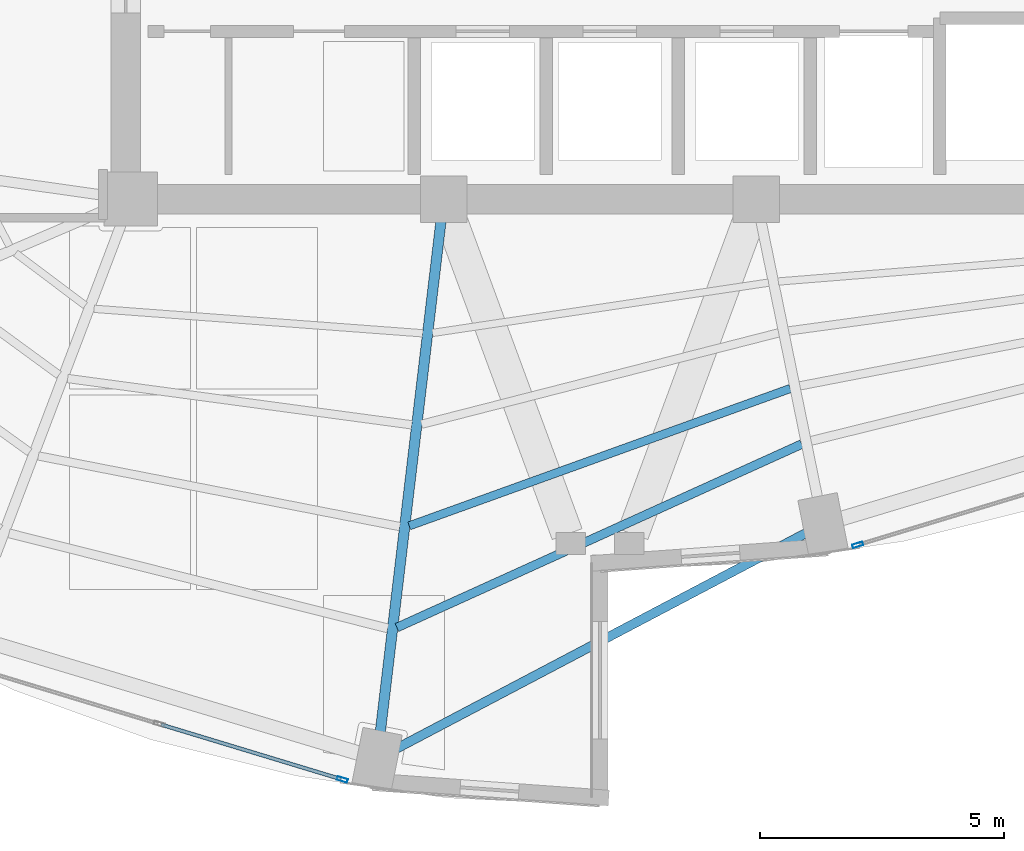
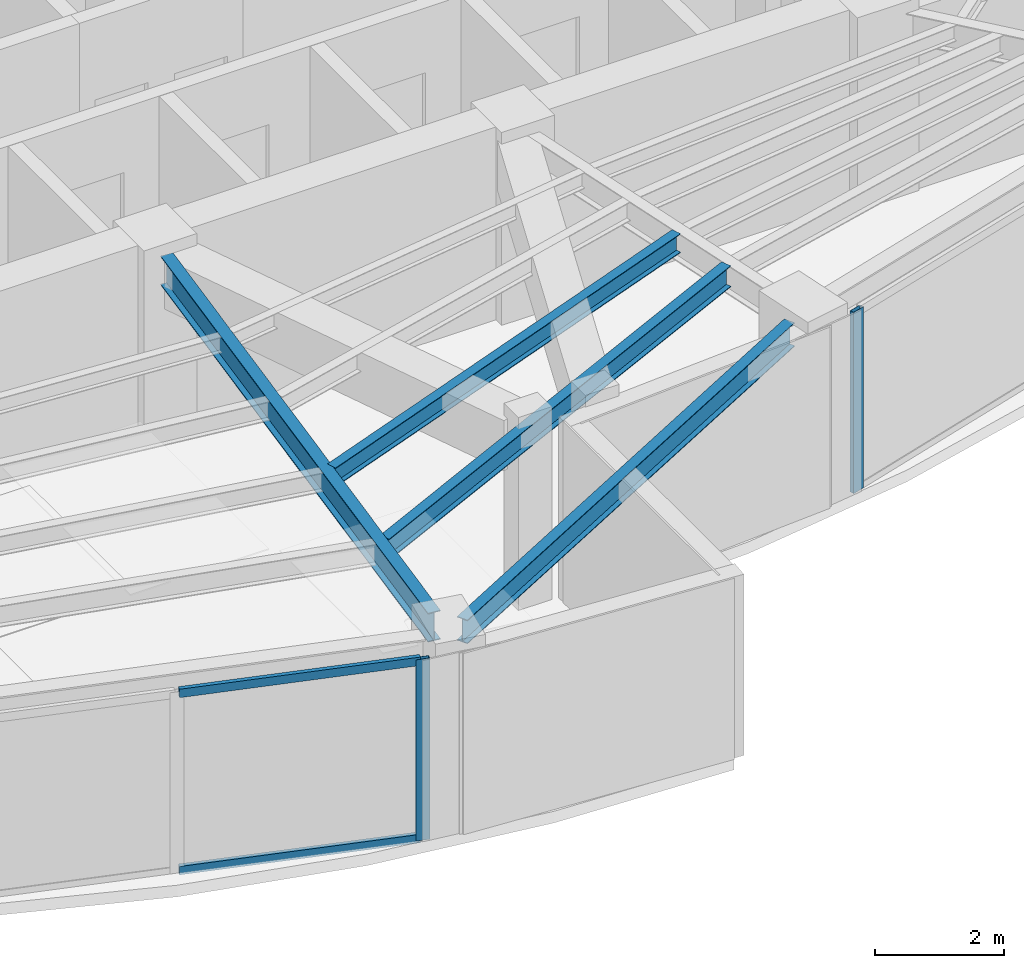
# One storey, part 4 of 19: 4 beams, 4 members, 2 elements without a shape of their own.
"""IFC4 building model written with IfcOpenShell, lengths in metres."""

from ifc_helpers import new_model, si_unit, direction, frame, origin, origin_2d, place, context, subcontext, project, spatial, hollow_rectangle, i_section, extrude, material, layer, layer_set, material_profile, profile_set, type_object, element, aggregate, save


model = new_model("IFC4")

# Units and contexts
model_context = context("Model", 3, precision=1e-05, world=origin(), true_north=direction((0.0, 1.0)))
body_context = subcontext(model_context, "Body", "Model", "MODEL_VIEW")
ifc_project = project(units=[si_unit("LENGTHUNIT", "METRE"), si_unit("AREAUNIT", "SQUARE_METRE"), si_unit("VOLUMEUNIT", "CUBIC_METRE"), si_unit("PLANEANGLEUNIT", "RADIAN"), si_unit("MASSUNIT", "GRAM", prefix="KILO")], contexts=[model_context])

# Site, building, storey
site_placement = place(None, origin())
site = spatial("IfcSite", under=ifc_project, at=site_placement, CompositionType="ELEMENT")
building_placement = place(site_placement, origin())
building = spatial("IfcBuilding", under=site, at=building_placement, Name="Lazwardi Medical Tower", CompositionType="ELEMENT")
storey_placement = place(building_placement, frame((0.0, 0.0, 163.823974609375)))
storey = spatial("IfcBuildingStorey", under=building, at=storey_placement, Name="L42", CompositionType="ELEMENT", Elevation=163.823974609375)

# Beams
ifc_material_1 = material(Name="Steel S355", Category="steel")
ifc_material_profile_1 = material_profile(ifc_material_1, i_section(OverallWidth=0.2099609375, OverallDepth=0.550048828125, WebThickness=0.010986328125, FlangeThickness=0.01708984375, at=origin_2d()), Name="IPE 550")
ifc_profile_set_1 = profile_set([ifc_material_profile_1], Name="Steel S355")
beam_type_1 = type_object("IfcBeamType", Name="BM-RG-W2", PredefinedType="BEAM", material=ifc_profile_set_1)
beam_1_placement = place(storey_placement, frame((31.505859375, 9.50732421875, 3.153076171875), z_axis=(0.117968004211, 0.993017396616, 0.0), x_axis=(-0.993017396616, 0.117968004211, 0.0)))
element("IfcBeam", 1, at=beam_1_placement, inside=storey, type_object=beam_type_1, Name="Radial girder RG-03 R16 L42", PredefinedType="BEAM", context=body_context, shape_type="SweptSolid", body=[
    extrude(i_section(OverallWidth=0.2099609375, OverallDepth=0.550048828125, WebThickness=0.010986328125, FlangeThickness=0.01708984375, at=origin_2d()), origin(), (0.0, 0.0, 1.0), 10.50927734375),
])
ifc_material_profile_2 = material_profile(ifc_material_1, i_section(OverallWidth=0.179931640625, OverallDepth=0.39990234375, WebThickness=0.008544921875, FlangeThickness=0.013427734375, at=origin_2d()), Name="IPE 400")
ifc_profile_set_2 = profile_set([ifc_material_profile_2], Name="Steel S355")
beam_type_2 = type_object("IfcBeamType", Name="BM-SJ-01", PredefinedType="JOIST", material=ifc_profile_set_2)
beam_2_placement = place(storey_placement, frame((31.844970703125, 11.6357421875, 3.22802734375), z_axis=(0.910834000674, 0.412772846995, 0.0), x_axis=(-0.412772846995, 0.910834000674, 0.0)))
element("IfcBeam", 2, at=beam_2_placement, inside=storey, type_object=beam_type_2, Name="Secondary joist SJ-01 R1 B16 L42", PredefinedType="JOIST", context=body_context, shape_type="SweptSolid", body=[
    extrude(i_section(OverallWidth=0.179931640625, OverallDepth=0.39990234375, WebThickness=0.008544921875, FlangeThickness=0.013427734375, at=origin_2d()), origin(), (0.0, 0.0, 1.0), 9.09130859375),
])
ifc_material_profile_3 = material_profile(ifc_material_1, i_section(OverallWidth=0.169921875, OverallDepth=0.360107421875, WebThickness=0.008056640625, FlangeThickness=0.0126953125, at=origin_2d()), Name="IPE 360")
ifc_profile_set_3 = profile_set([ifc_material_profile_3], Name="Steel S355")
beam_type_3 = type_object("IfcBeamType", Name="BM-SJ-02", PredefinedType="JOIST", material=ifc_profile_set_3)
beam_3_placement = place(storey_placement, frame((32.095947265625, 13.715576171875, 3.248046875), z_axis=(0.940747993319, 0.339106492221, 0.0), x_axis=(-0.339106492221, 0.940747993319, 0.0)))
element("IfcBeam", 3, at=beam_3_placement, inside=storey, type_object=beam_type_3, Name="Secondary joist SJ-02 R2 B16 L42", PredefinedType="JOIST", context=body_context, shape_type="SweptSolid", body=[
    extrude(i_section(OverallWidth=0.169921875, OverallDepth=0.360107421875, WebThickness=0.008056640625, FlangeThickness=0.0126953125, at=origin_2d()), origin(), (0.0, 0.0, 1.0), 8.28662109375),
])
ifc_material_profile_4 = material_profile(ifc_material_1, i_section(OverallWidth=0.18994140625, OverallDepth=0.449951171875, WebThickness=0.009521484375, FlangeThickness=0.0146484375, at=origin_2d()), Name="IPE 450")
ifc_profile_set_4 = profile_set([ifc_material_profile_4], Name="Steel S355")
beam_type_4 = type_object("IfcBeamType", Name="BM-SP-01", PredefinedType="SPANDREL", material=ifc_profile_set_4)
beam_4_placement = place(storey_placement, frame((31.793701171875, 9.137451171875, 3.203125), z_axis=(0.884926578414, 0.465730556026, 0.0), x_axis=(-0.465730556026, 0.884926578414, 0.0)))
element("IfcBeam", 4, at=beam_4_placement, inside=storey, type_object=beam_type_4, Name="Spandrel beam SP-01 B16 L42", PredefinedType="SPANDREL", context=body_context, shape_type="SweptSolid", body=[
    extrude(i_section(OverallWidth=0.18994140625, OverallDepth=0.449951171875, WebThickness=0.009521484375, FlangeThickness=0.0146484375, at=origin_2d()), origin(), (0.0, 0.0, 1.0), 9.506591796875),
])

# Curtain wall, member
ifc_material_2 = material(Name="Anodised bronze aluminium and solar control glazing", Category="aluminium")
ifc_layer = layer(ifc_material_2, 0.195068359375)
ifc_layer_set = layer_set([ifc_layer], Name="Anodised bronze aluminium and solar control glazing")
curtain_wall_type = type_object("IfcCurtainWallType", Name="CW-SYS-03", PredefinedType="NOTDEFINED", material=ifc_layer_set)
curtain_wall_1_placement = place(storey_placement, origin())
curtain_wall_1 = element("IfcCurtainWall", 5, at=curtain_wall_1_placement, inside=storey, type_object=curtain_wall_type, Name="L42 Unitised bronze curtain wall CW-03", PredefinedType="NOTDEFINED")
ifc_material_3 = material(Name="Anodised bronze aluminium", Category="aluminium")
ifc_material_profile_5 = material_profile(ifc_material_3, hollow_rectangle(XDim=0.074951171875, YDim=0.219970703125, WallThickness=0.00390625, at=origin_2d()), Name="ALU-MULLION 220x75x4")
ifc_profile_set_5 = profile_set([ifc_material_profile_5], Name="Anodised bronze aluminium")
member_type_1 = type_object("IfcMemberType", Name="CW-MUL-01", PredefinedType="MULLION", material=ifc_profile_set_5)
member_1_placement = place(storey_placement, frame((41.27197265625, 13.325927734375, 0.0), z_axis=(0.0, 0.0, 1.0), x_axis=(-0.290280785441, 0.956941516292, 0.0)))
member_1 = element("IfcMember", 6, at=member_1_placement, type_object=member_type_1, Name="CW-03 mullion 1", PredefinedType="MULLION", context=body_context, shape_type="SweptSolid", body=[
    extrude(hollow_rectangle(XDim=0.074951171875, YDim=0.219970703125, WallThickness=0.00390625, at=origin_2d()), origin(), (0.0, 0.0, 1.0), 3.427978515625),
])
aggregate(curtain_wall_1, [member_1])

# Curtain wall, members
curtain_wall_2_placement = place(storey_placement, origin())
curtain_wall_2 = element("IfcCurtainWall", 7, at=curtain_wall_2_placement, inside=storey, type_object=curtain_wall_type, Name="L42 Unitised bronze curtain wall CW-03", PredefinedType="NOTDEFINED")
member_2_placement = place(storey_placement, frame((30.72802734375, 8.52587890625, 0.0), z_axis=(0.0, 0.0, 1.0), x_axis=(0.290280785441, 0.956941516292, 0.0)))
member_2 = element("IfcMember", 8, at=member_2_placement, type_object=member_type_1, Name="CW-03 mullion 3", PredefinedType="MULLION", context=body_context, shape_type="SweptSolid", body=[
    extrude(hollow_rectangle(XDim=0.074951171875, YDim=0.219970703125, WallThickness=0.00390625, at=origin_2d()), origin(), (0.0, 0.0, 1.0), 3.427978515625),
])
ifc_material_profile_6 = material_profile(ifc_material_3, hollow_rectangle(XDim=0.074951171875, YDim=0.159912109375, WallThickness=0.00390625, at=origin_2d()), Name="ALU-TRANSOM 160x75x4")
ifc_profile_set_6 = profile_set([ifc_material_profile_6], Name="Anodised bronze aluminium")
member_type_2 = type_object("IfcMemberType", Name="CW-TRN-01", PredefinedType="USERDEFINED", material=ifc_profile_set_6)
member_3_placement = place(storey_placement, frame((27.020751953125, 9.650390625, 0.03759765625), z_axis=(0.95695319357, -0.290242287264, 0.0), x_axis=(0.290242287264, 0.95695319357, 0.0)))
member_3 = element("IfcMember", 9, at=member_3_placement, type_object=member_type_2, Name="CW-03 transom 2.1", ObjectType="TRANSOM", PredefinedType="USERDEFINED", context=body_context, shape_type="SweptSolid", body=[
    extrude(hollow_rectangle(XDim=0.074951171875, YDim=0.159912109375, WallThickness=0.00390625, at=origin_2d()), origin(), (0.0, 0.0, 1.0), 3.83642578125),
])
member_4_placement = place(storey_placement, frame((27.020751953125, 9.650390625, 3.390625), z_axis=(0.95695319357, -0.290242287264, 0.0), x_axis=(0.290242287264, 0.95695319357, 0.0)))
member_4 = element("IfcMember", 10, at=member_4_placement, type_object=member_type_2, Name="CW-03 transom 2.2", ObjectType="TRANSOM", PredefinedType="USERDEFINED", context=body_context, shape_type="SweptSolid", body=[
    extrude(hollow_rectangle(XDim=0.074951171875, YDim=0.159912109375, WallThickness=0.00390625, at=origin_2d()), origin(), (0.0, 0.0, 1.0), 3.83642578125),
])
aggregate(curtain_wall_2, [member_2, member_3, member_4])

save(model, "model.ifc")
